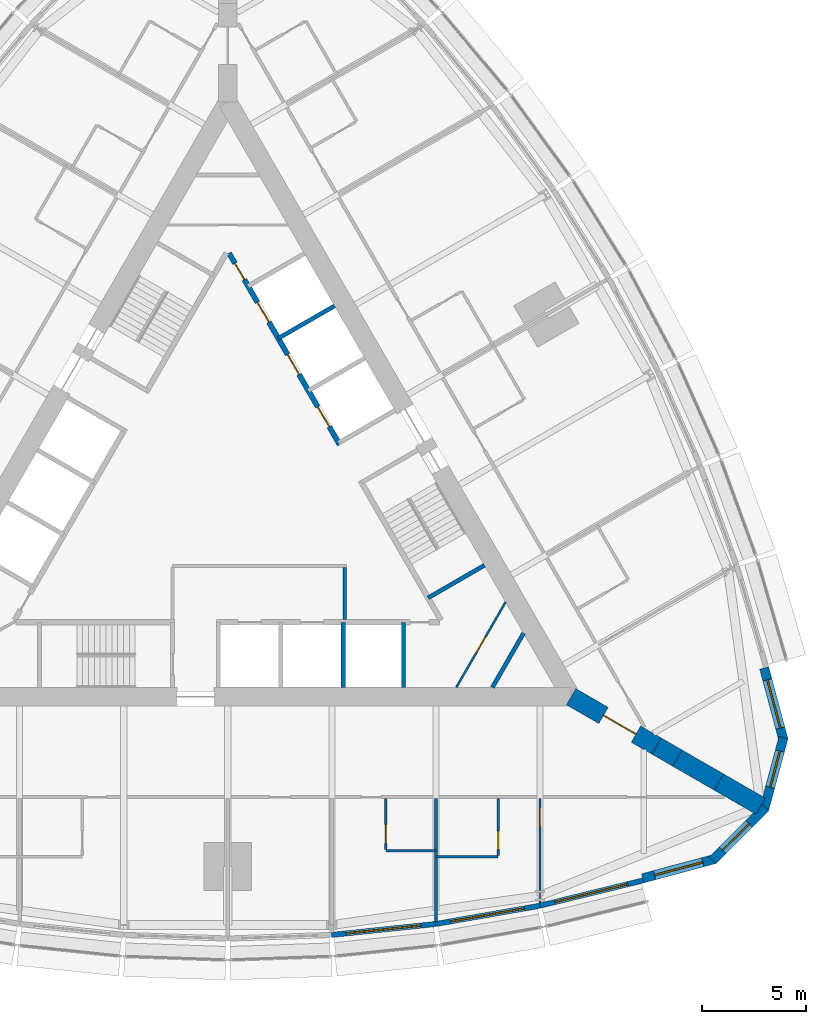
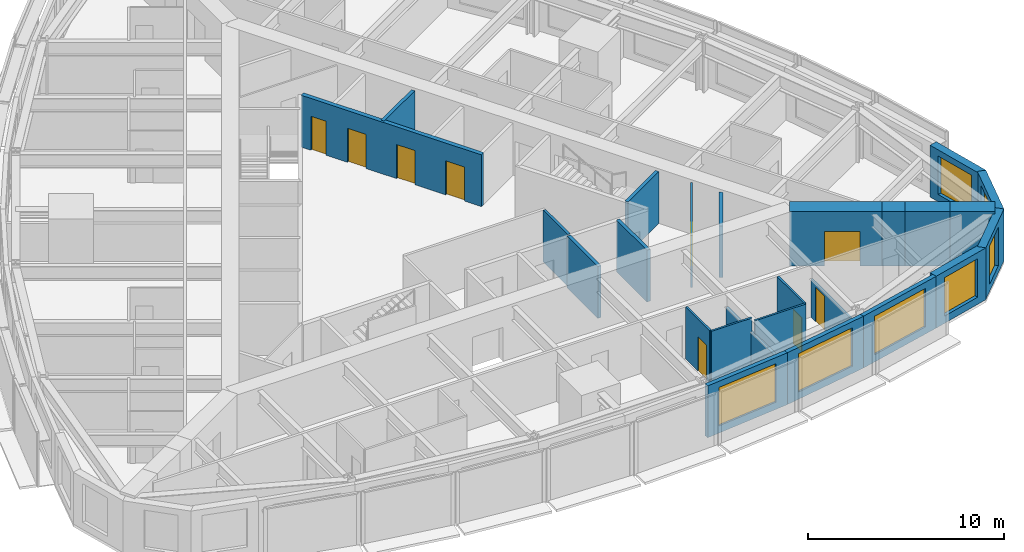
# One storey, part 10 of 14: 25 walls, 9 doors, 7 windows, 16 openings.
"""IFC4 building model written with IfcOpenShell, lengths in metres."""

from ifc_helpers import new_model, si_unit, direction, frame, frame_2d, origin, place, context, subcontext, project, spatial, polyline, rectangle, outline, extrude, material, layer, layer_set, type_object, element, fill, save


model = new_model("IFC4")

# Units and contexts
model_context = context("Model", 3, precision=1e-05, world=origin(), true_north=direction((0.0, 1.0)))
body_context = subcontext(model_context, "Body", "Model", "MODEL_VIEW")
ifc_project = project(units=[si_unit("LENGTHUNIT", "METRE"), si_unit("AREAUNIT", "SQUARE_METRE"), si_unit("VOLUMEUNIT", "CUBIC_METRE"), si_unit("PLANEANGLEUNIT", "RADIAN"), si_unit("MASSUNIT", "GRAM", prefix="KILO")], contexts=[model_context])

# Site, building, storey
site_placement = place(None, origin())
site = spatial("IfcSite", under=ifc_project, at=site_placement, CompositionType="ELEMENT")
building_placement = place(site_placement, origin())
building = spatial("IfcBuilding", under=site, at=building_placement, Name="Trikona Tower", CompositionType="ELEMENT")
storey_placement = place(building_placement, frame((0.0, 0.0, 155.5)))
storey = spatial("IfcBuildingStorey", under=building, at=storey_placement, Name="L41", CompositionType="ELEMENT", Elevation=155.5)

# Wall
ifc_material_1 = material(Name="Metal stud and cement board", Category="gypsum")
ifc_layer_1 = layer(ifc_material_1, 0.1201171875)
ifc_layer_set_1 = layer_set([ifc_layer_1], Name="Bathroom wall 120")
wall_type_1 = type_object("IfcWallType", Name="Bathroom wall 120", PredefinedType="PLUMBINGWALL", material=ifc_layer_set_1)
wall_1_placement = place(storey_placement, frame((7.60009765625, -16.92626953125, 0.0), z_axis=(0.0, 0.0, 1.0), x_axis=(1.0, 0.0, 0.0)))
element("IfcWall", 1, at=wall_1_placement, inside=storey, type_object=wall_type_1, Name="Bathroom wall 4103", PredefinedType="PLUMBINGWALL", context=body_context, shape_type="SweptSolid", body=[
    extrude(rectangle(XDim=2.39990234375, YDim=0.1201171875, at=frame_2d((1.199951171875, 0.0))), origin(), (0.0, 0.0, 1.0), 3.235107421875),
])

# Wall, opening, door
wall_2_placement = place(storey_placement, frame((7.60009765625, -14.42626953125, 0.0), z_axis=(0.0, 0.0, 1.0), x_axis=(0.0, -1.0, 0.0)))
wall_2 = element("IfcWall", 2, at=wall_2_placement, inside=storey, type_object=wall_type_1, Name="Bathroom wall 4103", PredefinedType="PLUMBINGWALL", context=body_context, shape_type="SweptSolid", body=[
    extrude(rectangle(XDim=2.43994140625, YDim=0.1201171875, at=frame_2d((1.219970703125, 0.0))), origin(), (0.0, 0.0, 1.0), 3.235107421875),
])
opening_1_placement = place(wall_2_placement, frame((1.25, 0.0, 0.0)))
opening_1 = element("IfcOpeningElement", 3, at=opening_1_placement, cuts=wall_2, Name="Opening D2", PredefinedType="OPENING", context=body_context, shape_type="SweptSolid", body=[
    extrude(rectangle(XDim=0.89990234375, YDim=2.1298828125, at=frame_2d((0.449951171875, 1.06494140625))), frame((0.0, 0.070068359375, 0.0), z_axis=(0.0, -1.0, 0.0), x_axis=(1.0, 0.0, 0.0)), (0.0, 0.0, 1.0), 0.14013671875),
])
ifc_material_2 = material(Name="Steel door frame with solid-core timber leaf", Category="steel")
door_type_1 = type_object("IfcDoorType", Name="Bathroom door 900x2130", OperationType="SLIDING_TO_LEFT", PredefinedType="DOOR", material=ifc_material_2)
door_1_placement = place(opening_1_placement, origin())
door_1 = element("IfcDoor", 4, at=door_1_placement, inside=storey, type_object=door_type_1, Name="Bathroom door 4103", OperationType="SLIDING_TO_LEFT", OverallHeight=2.1298828125, OverallWidth=0.89990234375, PredefinedType="DOOR", context=body_context, shape_type="SweptSolid", body=[
    extrude(rectangle(XDim=0.89990234375, YDim=2.1298828125, at=frame_2d((0.449951171875, 1.06494140625))), frame((0.0, 0.02490234375, 0.0), z_axis=(0.0, -1.0, 0.0), x_axis=(1.0, 0.0, 0.0)), (0.0, 0.0, 1.0), 0.050048828125),
])
fill(opening_1, door_1)

# Wall
wall_3_placement = place(storey_placement, frame((10.0, -17.226318359375, 0.0), z_axis=(0.0, 0.0, 1.0), x_axis=(1.0, 0.0, 0.0)))
element("IfcWall", 5, at=wall_3_placement, inside=storey, type_object=wall_type_1, Name="Bathroom wall 4104.1", PredefinedType="PLUMBINGWALL", context=body_context, shape_type="SweptSolid", body=[
    extrude(rectangle(XDim=3.0, YDim=0.1201171875, at=frame_2d((1.5, 0.0))), origin(), (0.0, 0.0, 1.0), 3.235107421875),
])

# Wall, opening, door
wall_4_placement = place(storey_placement, frame((13.0, -14.42626953125, 0.0), z_axis=(0.0, 0.0, 1.0), x_axis=(0.0, -1.0, 0.0)))
wall_4 = element("IfcWall", 6, at=wall_4_placement, inside=storey, type_object=wall_type_1, Name="Bathroom wall 4104.1", PredefinedType="PLUMBINGWALL", context=body_context, shape_type="SweptSolid", body=[
    extrude(rectangle(XDim=2.739990234375, YDim=0.1201171875, at=frame_2d((1.3701171875, 0.0))), origin(), (0.0, 0.0, 1.0), 3.235107421875),
])
opening_2_placement = place(wall_4_placement, frame((1.550048828125, 0.0, 0.0)))
opening_2 = element("IfcOpeningElement", 7, at=opening_2_placement, cuts=wall_4, Name="Opening D2", PredefinedType="OPENING", context=body_context, shape_type="SweptSolid", body=[
    extrude(rectangle(XDim=0.89990234375, YDim=2.1298828125, at=frame_2d((0.449951171875, 1.06494140625))), frame((0.0, 0.070068359375, 0.0), z_axis=(0.0, -1.0, 0.0), x_axis=(1.0, 0.0, 0.0)), (0.0, 0.0, 1.0), 0.14013671875),
])
door_2_placement = place(opening_2_placement, origin())
door_2 = element("IfcDoor", 8, at=door_2_placement, inside=storey, type_object=door_type_1, Name="Bathroom door 4104.1", OperationType="SLIDING_TO_LEFT", OverallHeight=2.1298828125, OverallWidth=0.89990234375, PredefinedType="DOOR", context=body_context, shape_type="SweptSolid", body=[
    extrude(rectangle(XDim=0.89990234375, YDim=2.1298828125, at=frame_2d((0.449951171875, 1.06494140625))), frame((0.0, 0.02490234375, 0.0), z_axis=(0.0, -1.0, 0.0), x_axis=(1.0, 0.0, 0.0)), (0.0, 0.0, 1.0), 0.050048828125),
])
fill(opening_2, door_2)

# Wall, opening, window
ifc_material_3 = material(Name="Brick-faced precast concrete", Category="masonry")
ifc_layer_2 = layer(ifc_material_3, 0.449951171875)
ifc_layer_set_2 = layer_set([ifc_layer_2], Name="Brick-faced corner wall 450")
wall_type_2 = type_object("IfcWallType", Name="Brick-faced corner wall 450", PredefinedType="SOLIDWALL", material=ifc_layer_set_2)
wall_5_placement = place(storey_placement, frame((19.94189453125, -18.2578125, 0.0), z_axis=(0.0, 0.0, 1.0), x_axis=(0.965924653531, 0.258823421857, 0.0)))
wall_5 = element("IfcWall", 9, at=wall_5_placement, inside=storey, type_object=wall_type_2, Name="External wall L41-08", PredefinedType="SOLIDWALL", context=body_context, shape_type="SweptSolid", body=[
    extrude(rectangle(XDim=3.58642578125, YDim=0.449951171875, at=frame_2d((1.793212890625, 0.0))), origin(), (0.0, 0.0, 1.0), 3.235107421875),
])
opening_3_placement = place(wall_5_placement, frame((0.593017578125, 0.0, 0.449951171875)))
opening_3 = element("IfcOpeningElement", 10, at=opening_3_placement, cuts=wall_5, Name="Opening W2424", PredefinedType="OPENING", context=body_context, shape_type="SweptSolid", body=[
    extrude(rectangle(XDim=2.39990234375, YDim=2.39990234375, at=frame_2d((1.199951171875, 1.199951171875))), frame((0.0, 0.23486328125, 0.0), z_axis=(0.0, -1.0, 0.0), x_axis=(1.0, 0.0, 0.0)), (0.0, 0.0, 1.0), 0.469970703125),
])
ifc_material_4 = material(Name="Aluminium-framed double glazing", Category="aluminium")
window_type_1 = type_object("IfcWindowType", Name="Window 2400x2400", PartitioningType="SINGLE_PANEL", PredefinedType="WINDOW", material=ifc_material_4)
window_1_placement = place(opening_3_placement, origin())
window_1 = element("IfcWindow", 11, at=window_1_placement, inside=storey, type_object=window_type_1, Name="Window 4104", OverallHeight=2.39990234375, OverallWidth=2.39990234375, PartitioningType="SINGLE_PANEL", PredefinedType="WINDOW", context=body_context, shape_type="SweptSolid", body=[
    extrude(rectangle(XDim=2.39990234375, YDim=2.39990234375, at=frame_2d((1.199951171875, 1.199951171875))), frame((0.0, 0.030029296875, 0.0), z_axis=(0.0, -1.0, 0.0), x_axis=(1.0, 0.0, 0.0)), (0.0, 0.0, 1.0), 0.06005859375),
])
fill(opening_3, window_1)

wall_6_placement = place(storey_placement, frame((23.304931640625, -17.387939453125, 0.0), z_axis=(0.0, 0.0, 1.0), x_axis=(0.707106781187, 0.707106781187, 0.0)))
wall_6 = element("IfcWall", 12, at=wall_6_placement, inside=storey, type_object=wall_type_2, Name="External wall L41-09", PredefinedType="SOLIDWALL", context=body_context, shape_type="SweptSolid", body=[
    extrude(outline(polyline([(3.586181640625, 0.22509765625), (3.527099609375, 0.22509765625), (3.03515625, 0.09326171875), (3.0, 0.22509765625), (0.0, 0.22509765625), (0.0, -0.22509765625), (3.586181640625, -0.22509765625), (3.586181640625, 0.22509765625)])), origin(), (0.0, 0.0, 1.0), 3.235107421875),
])
opening_4_placement = place(wall_6_placement, frame((0.6748046875, 0.0, 0.449951171875)))
opening_4 = element("IfcOpeningElement", 13, at=opening_4_placement, cuts=wall_6, Name="Opening W1824", PredefinedType="OPENING", context=body_context, shape_type="SweptSolid", body=[
    extrude(rectangle(XDim=1.800048828125, YDim=2.39990234375, at=frame_2d((0.89990234375, 1.199951171875))), frame((0.0, 0.23486328125, 0.0), z_axis=(0.0, -1.0, 0.0), x_axis=(1.0, 0.0, 0.0)), (0.0, 0.0, 1.0), 0.469970703125),
])
ifc_material_5 = material(Name="Aluminium-framed double glazing", Category="aluminium")
window_type_2 = type_object("IfcWindowType", Name="Window 1800x2400", PartitioningType="SINGLE_PANEL", PredefinedType="WINDOW", material=ifc_material_5)
window_2_placement = place(opening_4_placement, origin())
window_2 = element("IfcWindow", 14, at=window_2_placement, inside=storey, type_object=window_type_2, Name="Window 4104", OverallHeight=2.39990234375, OverallWidth=1.800048828125, PartitioningType="SINGLE_PANEL", PredefinedType="WINDOW", context=body_context, shape_type="SweptSolid", body=[
    extrude(rectangle(XDim=1.800048828125, YDim=2.39990234375, at=frame_2d((0.89990234375, 1.199951171875))), frame((0.0, 0.030029296875, 0.0), z_axis=(0.0, -1.0, 0.0), x_axis=(1.0, 0.0, 0.0)), (0.0, 0.0, 1.0), 0.06005859375),
])
fill(opening_4, window_2)

wall_7_placement = place(storey_placement, frame((25.78271484375, -14.952880859375, 0.0), z_axis=(0.0, 0.0, 1.0), x_axis=(0.258823421857, 0.965924653531, 0.0)))
wall_7 = element("IfcWall", 15, at=wall_7_placement, inside=storey, type_object=wall_type_2, Name="External wall L41-10", PredefinedType="SOLIDWALL", context=body_context, shape_type="SweptSolid", body=[
    extrude(outline(polyline([(3.58642578125, 0.22509765625), (0.58642578125, 0.22509765625), (0.551025390625, 0.09326171875), (0.0595703125, 0.22509765625), (0.0, 0.22509765625), (0.0, -0.22509765625), (3.58642578125, -0.22509765625), (3.58642578125, 0.22509765625)])), origin(), (0.0, 0.0, 1.0), 3.235107421875),
])
opening_5_placement = place(wall_7_placement, frame((1.111328125, 0.0, 0.449951171875)))
opening_5 = element("IfcOpeningElement", 16, at=opening_5_placement, cuts=wall_7, Name="Opening W1824", PredefinedType="OPENING", context=body_context, shape_type="SweptSolid", body=[
    extrude(rectangle(XDim=1.800048828125, YDim=2.39990234375, at=frame_2d((0.89990234375, 1.199951171875))), frame((0.0, 0.23486328125, 0.0), z_axis=(0.0, -1.0, 0.0), x_axis=(1.0, 0.0, 0.0)), (0.0, 0.0, 1.0), 0.469970703125),
])
window_3_placement = place(opening_5_placement, origin())
window_3 = element("IfcWindow", 17, at=window_3_placement, inside=storey, type_object=window_type_2, Name="Window 4105", OverallHeight=2.39990234375, OverallWidth=1.800048828125, PartitioningType="SINGLE_PANEL", PredefinedType="WINDOW", context=body_context, shape_type="SweptSolid", body=[
    extrude(rectangle(XDim=1.800048828125, YDim=2.39990234375, at=frame_2d((0.89990234375, 1.199951171875))), frame((0.0, 0.030029296875, 0.0), z_axis=(0.0, -1.0, 0.0), x_axis=(1.0, 0.0, 0.0)), (0.0, 0.0, 1.0), 0.06005859375),
])
fill(opening_5, window_3)

wall_8_placement = place(storey_placement, frame((26.7109375, -11.605224609375, 0.0), z_axis=(0.0, 0.0, 1.0), x_axis=(-0.258823421857, 0.965924653531, 0.0)))
wall_8 = element("IfcWall", 18, at=wall_8_placement, inside=storey, type_object=wall_type_2, Name="External wall L41-11", PredefinedType="SOLIDWALL", context=body_context, shape_type="SweptSolid", body=[
    extrude(rectangle(XDim=3.58642578125, YDim=0.449951171875, at=frame_2d((1.793212890625, 0.0))), origin(), (0.0, 0.0, 1.0), 3.235107421875),
])
opening_6_placement = place(wall_8_placement, frame((0.593017578125, 0.0, 0.449951171875)))
opening_6 = element("IfcOpeningElement", 19, at=opening_6_placement, cuts=wall_8, Name="Opening W2424", PredefinedType="OPENING", context=body_context, shape_type="SweptSolid", body=[
    extrude(rectangle(XDim=2.39990234375, YDim=2.39990234375, at=frame_2d((1.199951171875, 1.199951171875))), frame((0.0, 0.23486328125, 0.0), z_axis=(0.0, -1.0, 0.0), x_axis=(1.0, 0.0, 0.0)), (0.0, 0.0, 1.0), 0.469970703125),
])
window_4_placement = place(opening_6_placement, origin())
window_4 = element("IfcWindow", 20, at=window_4_placement, inside=storey, type_object=window_type_1, Name="Window 4105", OverallHeight=2.39990234375, OverallWidth=2.39990234375, PartitioningType="SINGLE_PANEL", PredefinedType="WINDOW", context=body_context, shape_type="SweptSolid", body=[
    extrude(rectangle(XDim=2.39990234375, YDim=2.39990234375, at=frame_2d((1.199951171875, 1.199951171875))), frame((0.0, 0.030029296875, 0.0), z_axis=(0.0, -1.0, 0.0), x_axis=(1.0, 0.0, 0.0)), (0.0, 0.0, 1.0), 0.06005859375),
])
fill(opening_6, window_4)

# Wall, opening, door
ifc_material_6 = material(Name="Concrete f'c 10000 psi", Category="concrete")
ifc_layer_3 = layer(ifc_material_6, 0.89990234375)
ifc_layer_set_3 = layer_set([ifc_layer_3], Name="Buttress wall 900")
wall_type_3 = type_object("IfcWallType", Name="Buttress wall 900", PredefinedType="SHEAR", material=ifc_layer_set_3)
wall_9_placement = place(storey_placement, frame((16.5, -9.5263671875, 0.0), z_axis=(0.0, 0.0, 1.0), x_axis=(0.866031398331, -0.499989616998, 0.0)))
wall_9 = element("IfcWall", 21, at=wall_9_placement, inside=storey, type_object=wall_type_3, Name="Buttress wall 1", PredefinedType="SHEAR", context=body_context, shape_type="SweptSolid", body=[
    extrude(rectangle(XDim=4.74609375, YDim=0.89990234375, at=frame_2d((2.373046875, 0.0))), origin(), (0.0, 0.0, 1.0), 3.39990234375),
])
opening_7_placement = place(wall_9_placement, frame((1.800048828125, 0.0, 0.0)))
opening_7 = element("IfcOpeningElement", 22, at=opening_7_placement, cuts=wall_9, Name="Opening D10", PredefinedType="OPENING", context=body_context, shape_type="SweptSolid", body=[
    extrude(rectangle(XDim=1.800048828125, YDim=2.1298828125, at=frame_2d((0.89990234375, 1.06494140625))), frame((0.0, 0.4599609375, 0.0), z_axis=(0.0, -1.0, 0.0), x_axis=(1.0, 0.0, 0.0)), (0.0, 0.0, 1.0), 0.919921875),
])
ifc_material_7 = material(Name="Hollow metal door and frame", Category="steel")
door_type_2 = type_object("IfcDoorType", Name="Cross-corridor door pair 1800x2130", OperationType="DOUBLE_DOOR_DOUBLE_SWING", PredefinedType="DOOR", material=ifc_material_7)
door_3_placement = place(opening_7_placement, origin())
door_3 = element("IfcDoor", 23, at=door_3_placement, inside=storey, type_object=door_type_2, Name="Cross-corridor door 1", OperationType="DOUBLE_DOOR_DOUBLE_SWING", OverallHeight=2.1298828125, OverallWidth=1.800048828125, PredefinedType="DOOR", context=body_context, shape_type="SweptSolid", body=[
    extrude(rectangle(XDim=1.800048828125, YDim=2.1298828125, at=frame_2d((0.89990234375, 1.06494140625))), frame((0.0, 0.02490234375, 0.0), z_axis=(0.0, -1.0, 0.0), x_axis=(1.0, 0.0, 0.0)), (0.0, 0.0, 1.0), 0.050048828125),
])
fill(opening_7, door_3)

# Walls
wall_10_placement = place(storey_placement, frame((20.6103515625, -11.8994140625, 0.0), z_axis=(0.0, 0.0, 1.0), x_axis=(0.866009537788, -0.500027479704, 0.0)))
element("IfcWall", 24, at=wall_10_placement, inside=storey, type_object=wall_type_3, Name="Buttress wall 1 part 2", PredefinedType="SHEAR", context=body_context, shape_type="SweptSolid", body=[
    extrude(rectangle(XDim=1.15478515625, YDim=0.89990234375, at=frame_2d((0.577392578125, 0.0))), origin(), (0.0, 0.0, 1.0), 3.39990234375),
])
for number, where, z_axis, x_axis, name in (
    (25, (21.6103515625, -12.476806640625, 0.0), (0.0, 0.0, 1.0), (0.866055313784, -0.499948190782, 0.0), "Buttress wall 1 part 3"),
    (26, (23.6103515625, -13.63134765625, 0.0), (0.0, 0.0, 1.0), (0.866009537788, -0.500027479704, 0.0), "Buttress wall 1 part 4"),
):
    element("IfcWall", number, at=place(storey_placement, frame(where, z_axis=z_axis, x_axis=x_axis)), inside=storey, type_object=wall_type_3, Name=name, PredefinedType="SHEAR", context=body_context, shape_type="SweptSolid", body=[
        extrude(rectangle(XDim=2.309326171875, YDim=0.89990234375, at=frame_2d((1.15478515625, 0.0))), origin(), (0.0, 0.0, 1.0), 3.39990234375),
    ])

# Wall, openings, doors
ifc_material_8 = material(Name="Concrete f'c 8000 psi", Category="concrete")
ifc_layer_4 = layer(ifc_material_8, 0.25)
ifc_layer_set_4 = layer_set([ifc_layer_4], Name="Hub wall 250")
wall_type_4 = type_object("IfcWallType", Name="Hub wall 250", PredefinedType="SOLIDWALL", material=ifc_layer_set_4)
wall_11_placement = place(storey_placement, frame((5.37890625, 2.5859375, 0.0), z_axis=(0.0, 0.0, 1.0), x_axis=(-0.500001375892, 0.866024609411, 0.0)))
wall_11 = element("IfcWall", 27, at=wall_11_placement, inside=storey, type_object=wall_type_4, Name="Lift lobby wall B2", PredefinedType="SOLIDWALL", context=body_context, shape_type="SweptSolid", body=[
    extrude(rectangle(XDim=10.6328125, YDim=0.25, at=frame_2d((5.31640625, 0.0))), origin(), (0.0, 0.0, 1.0), 3.235107421875),
])
opening_8_placement = place(wall_11_placement, frame((9.1640625, 0.0, 0.0)))
opening_8 = element("IfcOpeningElement", 28, at=opening_8_placement, cuts=wall_11, Name="Opening D14", PredefinedType="OPENING", context=body_context, shape_type="SweptSolid", body=[
    extrude(rectangle(XDim=0.89990234375, YDim=2.1298828125, at=frame_2d((0.449951171875, 1.06494140625))), frame((0.0, 0.135009765625, 0.0), z_axis=(0.0, -1.0, 0.0), x_axis=(1.0, 0.0, 0.0)), (0.0, 0.0, 1.0), 0.27001953125),
])
opening_9_placement = place(wall_11_placement, frame((1.0, 0.0, 0.0)))
opening_9 = element("IfcOpeningElement", 29, at=opening_9_placement, cuts=wall_11, Name="Opening LD", PredefinedType="OPENING", context=body_context, shape_type="SweptSolid", body=[
    extrude(rectangle(XDim=1.10009765625, YDim=2.1298828125, at=frame_2d((0.550048828125, 1.06494140625))), frame((0.0, 0.135009765625, 0.0), z_axis=(0.0, -1.0, 0.0), x_axis=(1.0, 0.0, 0.0)), (0.0, 0.0, 1.0), 0.27001953125),
])
opening_10_placement = place(wall_11_placement, frame((3.89990234375, 0.0, 0.0)))
opening_10 = element("IfcOpeningElement", 30, at=opening_10_placement, cuts=wall_11, Name="Opening LD", PredefinedType="OPENING", context=body_context, shape_type="SweptSolid", body=[
    extrude(rectangle(XDim=1.10009765625, YDim=2.1298828125, at=frame_2d((0.550048828125, 1.06494140625))), frame((0.0, 0.135009765625, 0.0), z_axis=(0.0, -1.0, 0.0), x_axis=(1.0, 0.0, 0.0)), (0.0, 0.0, 1.0), 0.27001953125),
])
opening_11_placement = place(wall_11_placement, frame((6.800048828125, 0.0, 0.0)))
opening_11 = element("IfcOpeningElement", 31, at=opening_11_placement, cuts=wall_11, Name="Opening LD", PredefinedType="OPENING", context=body_context, shape_type="SweptSolid", body=[
    extrude(rectangle(XDim=1.10009765625, YDim=2.1298828125, at=frame_2d((0.550048828125, 1.06494140625))), frame((0.0, 0.135009765625, 0.0), z_axis=(0.0, -1.0, 0.0), x_axis=(1.0, 0.0, 0.0)), (0.0, 0.0, 1.0), 0.27001953125),
])
ifc_material_9 = material(Name="Stainless steel lift landing door", Category="steel")
door_type_3 = type_object("IfcDoorType", Name="Lift landing door 1100x2130", OperationType="DOUBLE_DOOR_SLIDING", PredefinedType="USERDEFINED", material=ifc_material_9)
door_4_placement = place(opening_9_placement, origin())
door_4 = element("IfcDoor", 32, at=door_4_placement, inside=storey, type_object=door_type_3, Name="Lift landing door L2-1", ObjectType="LIFT LANDING DOOR", OperationType="DOUBLE_DOOR_SLIDING", OverallHeight=2.1298828125, OverallWidth=1.10009765625, PredefinedType="USERDEFINED", context=body_context, shape_type="SweptSolid", body=[
    extrude(rectangle(XDim=1.10009765625, YDim=2.1298828125, at=frame_2d((0.550048828125, 1.06494140625))), frame((0.0, 0.02490234375, 0.0), z_axis=(0.0, -1.0, 0.0), x_axis=(1.0, 0.0, 0.0)), (0.0, 0.0, 1.0), 0.050048828125),
])
fill(opening_9, door_4)
door_5_placement = place(opening_10_placement, origin())
door_5 = element("IfcDoor", 33, at=door_5_placement, inside=storey, type_object=door_type_3, Name="Lift landing door L2-2", ObjectType="LIFT LANDING DOOR", OperationType="DOUBLE_DOOR_SLIDING", OverallHeight=2.1298828125, OverallWidth=1.10009765625, PredefinedType="USERDEFINED", context=body_context, shape_type="SweptSolid", body=[
    extrude(rectangle(XDim=1.10009765625, YDim=2.1298828125, at=frame_2d((0.550048828125, 1.06494140625))), frame((0.0, 0.02490234375, 0.0), z_axis=(0.0, -1.0, 0.0), x_axis=(1.0, 0.0, 0.0)), (0.0, 0.0, 1.0), 0.050048828125),
])
fill(opening_10, door_5)
door_6_placement = place(opening_11_placement, origin())
door_6 = element("IfcDoor", 34, at=door_6_placement, inside=storey, type_object=door_type_3, Name="Lift landing door L2-3", ObjectType="LIFT LANDING DOOR", OperationType="DOUBLE_DOOR_SLIDING", OverallHeight=2.1298828125, OverallWidth=1.10009765625, PredefinedType="USERDEFINED", context=body_context, shape_type="SweptSolid", body=[
    extrude(rectangle(XDim=1.10009765625, YDim=2.1298828125, at=frame_2d((0.550048828125, 1.06494140625))), frame((0.0, 0.02490234375, 0.0), z_axis=(0.0, -1.0, 0.0), x_axis=(1.0, 0.0, 0.0)), (0.0, 0.0, 1.0), 0.050048828125),
])
fill(opening_11, door_6)
ifc_material_10 = material(Name="Hollow metal door and frame", Category="steel")
door_type_4 = type_object("IfcDoorType", Name="Service room door 900x2130", OperationType="SINGLE_SWING_LEFT", PredefinedType="DOOR", material=ifc_material_10)
door_7_placement = place(opening_8_placement, origin())
door_7 = element("IfcDoor", 35, at=door_7_placement, inside=storey, type_object=door_type_4, Name="Door Housekeeping store HKS", OperationType="SINGLE_SWING_RIGHT", OverallHeight=2.1298828125, OverallWidth=0.89990234375, PredefinedType="DOOR", context=body_context, shape_type="SweptSolid", body=[
    extrude(rectangle(XDim=0.89990234375, YDim=2.1298828125, at=frame_2d((0.449951171875, 1.06494140625))), frame((0.0, 0.02490234375, 0.0), z_axis=(0.0, -1.0, 0.0), x_axis=(1.0, 0.0, 0.0)), (0.0, 0.0, 1.0), 0.050048828125),
])
fill(opening_8, door_7)

# Wall, opening, window
ifc_material_11 = material(Name="Insulated precast concrete spandrel panel", Category="concrete")
ifc_layer_5 = layer(ifc_material_11, 0.25)
ifc_layer_set_5 = layer_set([ifc_layer_5], Name="Inner skin wall 250")
wall_type_5 = type_object("IfcWallType", Name="Inner skin wall 250", PredefinedType="STANDARD", material=ifc_layer_set_5)
wall_12_placement = place(storey_placement, frame((4.98681640625, -20.975830078125, 0.0), z_axis=(0.0, 0.0, 1.0), x_axis=(0.994534683851, 0.104406717299, 0.0)))
wall_12 = element("IfcWall", 36, at=wall_12_placement, inside=storey, type_object=wall_type_5, Name="External wall L41-05", PredefinedType="STANDARD", context=body_context, shape_type="SweptSolid", body=[
    extrude(rectangle(XDim=5.027587890625, YDim=0.25, at=frame_2d((2.513671875, 0.0))), origin(), (0.0, 0.0, 1.0), 3.235107421875),
])
opening_12_placement = place(wall_12_placement, frame((0.713623046875, 0.0, 0.449951171875)))
opening_12 = element("IfcOpeningElement", 37, at=opening_12_placement, cuts=wall_12, Name="Opening W3624", PredefinedType="OPENING", context=body_context, shape_type="SweptSolid", body=[
    extrude(rectangle(XDim=3.60009765625, YDim=2.39990234375, at=frame_2d((1.800048828125, 1.199951171875))), frame((0.0, 0.135009765625, 0.0), z_axis=(0.0, -1.0, 0.0), x_axis=(1.0, 0.0, 0.0)), (0.0, 0.0, 1.0), 0.27001953125),
])
ifc_material_12 = material(Name="Aluminium-framed double glazing", Category="aluminium")
window_type_3 = type_object("IfcWindowType", Name="Window 3600x2400", PartitioningType="SINGLE_PANEL", PredefinedType="WINDOW", material=ifc_material_12)
window_5_placement = place(opening_12_placement, origin())
window_5 = element("IfcWindow", 38, at=window_5_placement, inside=storey, type_object=window_type_3, Name="Window 4103", OverallHeight=2.39990234375, OverallWidth=3.60009765625, PartitioningType="SINGLE_PANEL", PredefinedType="WINDOW", context=body_context, shape_type="SweptSolid", body=[
    extrude(rectangle(XDim=3.60009765625, YDim=2.39990234375, at=frame_2d((1.800048828125, 1.199951171875))), frame((0.0, 0.030029296875, 0.0), z_axis=(0.0, -1.0, 0.0), x_axis=(1.0, 0.0, 0.0)), (0.0, 0.0, 1.0), 0.06005859375),
])
fill(opening_12, window_5)

wall_13_placement = place(storey_placement, frame((9.978515625, -20.4521484375, 0.0), z_axis=(0.0, 0.0, 1.0), x_axis=(0.985030467156, 0.172380331752, 0.0)))
wall_13 = element("IfcWall", 39, at=wall_13_placement, inside=storey, type_object=wall_type_5, Name="External wall L41-06", PredefinedType="STANDARD", context=body_context, shape_type="SweptSolid", body=[
    extrude(rectangle(XDim=5.075927734375, YDim=0.25, at=frame_2d((2.5380859375, 0.0))), origin(), (0.0, 0.0, 1.0), 3.235107421875),
])
opening_13_placement = place(wall_13_placement, frame((0.738037109375, 0.0, 0.449951171875)))
opening_13 = element("IfcOpeningElement", 40, at=opening_13_placement, cuts=wall_13, Name="Opening W3624", PredefinedType="OPENING", context=body_context, shape_type="SweptSolid", body=[
    extrude(rectangle(XDim=3.60009765625, YDim=2.39990234375, at=frame_2d((1.800048828125, 1.199951171875))), frame((0.0, 0.135009765625, 0.0), z_axis=(0.0, -1.0, 0.0), x_axis=(1.0, 0.0, 0.0)), (0.0, 0.0, 1.0), 0.27001953125),
])
window_6_placement = place(opening_13_placement, origin())
window_6 = element("IfcWindow", 41, at=window_6_placement, inside=storey, type_object=window_type_3, Name="Window 4104.1", OverallHeight=2.39990234375, OverallWidth=3.60009765625, PartitioningType="SINGLE_PANEL", PredefinedType="WINDOW", context=body_context, shape_type="SweptSolid", body=[
    extrude(rectangle(XDim=3.60009765625, YDim=2.39990234375, at=frame_2d((1.800048828125, 1.199951171875))), frame((0.0, 0.030029296875, 0.0), z_axis=(0.0, -1.0, 0.0), x_axis=(1.0, 0.0, 0.0)), (0.0, 0.0, 1.0), 0.06005859375),
])
fill(opening_13, window_6)

wall_14_placement = place(storey_placement, frame((14.97021484375, -19.578857421875, 0.0), z_axis=(0.0, 0.0, 1.0), x_axis=(0.971270024053, 0.237980126011, 0.0)))
wall_14 = element("IfcWall", 42, at=wall_14_placement, inside=storey, type_object=wall_type_5, Name="External wall L41-07", PredefinedType="STANDARD", context=body_context, shape_type="SweptSolid", body=[
    extrude(rectangle(XDim=5.14794921875, YDim=0.25, at=frame_2d((2.573974609375, 0.0))), origin(), (0.0, 0.0, 1.0), 3.235107421875),
])
opening_14_placement = place(wall_14_placement, frame((0.77392578125, 0.0, 0.449951171875)))
opening_14 = element("IfcOpeningElement", 43, at=opening_14_placement, cuts=wall_14, Name="Opening W3624", PredefinedType="OPENING", context=body_context, shape_type="SweptSolid", body=[
    extrude(rectangle(XDim=3.60009765625, YDim=2.39990234375, at=frame_2d((1.800048828125, 1.199951171875))), frame((0.0, 0.135009765625, 0.0), z_axis=(0.0, -1.0, 0.0), x_axis=(1.0, 0.0, 0.0)), (0.0, 0.0, 1.0), 0.27001953125),
])
window_7_placement = place(opening_14_placement, origin())
window_7 = element("IfcWindow", 44, at=window_7_placement, inside=storey, type_object=window_type_3, Name="Window 4104", OverallHeight=2.39990234375, OverallWidth=3.60009765625, PartitioningType="SINGLE_PANEL", PredefinedType="WINDOW", context=body_context, shape_type="SweptSolid", body=[
    extrude(rectangle(XDim=3.60009765625, YDim=2.39990234375, at=frame_2d((1.800048828125, 1.199951171875))), frame((0.0, 0.030029296875, 0.0), z_axis=(0.0, -1.0, 0.0), x_axis=(1.0, 0.0, 0.0)), (0.0, 0.0, 1.0), 0.06005859375),
])
fill(opening_14, window_7)

# Walls
ifc_material_13 = material(Name="Metal stud and gypsum board, 2-hour shaft wall", Category="gypsum")
ifc_layer_6 = layer(ifc_material_13, 0.14990234375)
ifc_layer_set_6 = layer_set([ifc_layer_6], Name="Lobby wall 150")
wall_type_6 = type_object("IfcWallType", Name="Lobby wall 150", PredefinedType="PARTITIONING", material=ifc_layer_set_6)
wall_15_placement = place(storey_placement, frame((5.625, -5.826416015625, 0.0), z_axis=(0.0, 0.0, 1.0), x_axis=(0.0, 1.0, 0.0)))
element("IfcWall", 45, at=wall_15_placement, inside=storey, type_object=wall_type_6, Name="Fire service lift lobby wall 3", PredefinedType="PARTITIONING", context=body_context, shape_type="SweptSolid", body=[
    extrude(rectangle(XDim=2.5, YDim=0.14990234375, at=frame_2d((1.25, 0.0))), origin(), (0.0, 0.0, 1.0), 3.235107421875),
])
ifc_material_14 = material(Name="Metal stud and gypsum board, 1-hour acoustic", Category="gypsum")
ifc_layer_7 = layer(ifc_material_14, 0.14990234375)
ifc_layer_set_7 = layer_set([ifc_layer_7], Name="Party wall 150")
wall_type_7 = type_object("IfcWallType", Name="Party wall 150", PredefinedType="PARTITIONING", material=ifc_layer_set_7)
wall_16_placement = place(storey_placement, frame((10.0, -14.42626953125, 0.0), z_axis=(0.0, 0.0, 1.0), x_axis=(0.0, -1.0, 0.0)))
element("IfcWall", 46, at=wall_16_placement, inside=storey, type_object=wall_type_7, Name="Partition L41 F1 u10", PredefinedType="PARTITIONING", context=body_context, shape_type="SweptSolid", body=[
    extrude(rectangle(XDim=5.89501953125, YDim=0.14990234375, at=frame_2d((2.947509765625, 0.0))), origin(), (0.0, 0.0, 1.0), 2.38916015625),
])
ifc_material_15 = material(Name="Concrete f'c 8000 psi", Category="concrete")
ifc_layer_8 = layer(ifc_material_15, 0.199951171875)
ifc_layer_set_8 = layer_set([ifc_layer_8], Name="Shaft wall 200")
wall_type_8 = type_object("IfcWallType", Name="Shaft wall 200", PredefinedType="SOLIDWALL", material=ifc_layer_set_8)
for number, where, z_axis, x_axis, name in (
    (47, (5.550048828125, -5.951416015625, 0.0), (0.0, 0.0, 1.0), (0.0, -1.0, 0.0), "Shaft wall A5"),
    (48, (8.449951171875, -5.951416015625, 0.0), (0.0, 0.0, 1.0), (0.0, -1.0, 0.0), "Shaft wall A6"),
    (49, (2.428955078125, 7.695556640625, 0.0), (0.0, 0.0, 1.0), (0.866022959057, 0.500004234368, 0.0), "Shaft wall B5"),
):
    element("IfcWall", number, at=place(storey_placement, frame(where, z_axis=z_axis, x_axis=x_axis)), inside=storey, type_object=wall_type_8, Name=name, PredefinedType="SOLIDWALL", context=body_context, shape_type="SweptSolid", body=[
        extrude(rectangle(XDim=3.125, YDim=0.199951171875, at=frame_2d((1.5625, 0.0))), origin(), (0.0, 0.0, 1.0), 3.235107421875),
    ])
wall_17_placement = place(storey_placement, frame((14.219482421875, -6.476318359375, 0.0), z_axis=(0.0, 0.0, 1.0), x_axis=(-0.499952404951, -0.866052881055, 0.0)))
element("IfcWall", 50, at=wall_17_placement, inside=storey, type_object=wall_type_8, Name="Riser wall L41-RS1", PredefinedType="SOLIDWALL", context=body_context, shape_type="SweptSolid", body=[
    extrude(rectangle(XDim=3.002197265625, YDim=0.199951171875, at=frame_2d((1.5009765625, 0.0))), origin(), (0.0, 0.0, 1.0), 3.235107421875),
])
ifc_material_16 = material(Name="Concrete f'c 8000 psi", Category="concrete")
ifc_layer_9 = layer(ifc_material_16, 0.199951171875)
ifc_layer_set_9 = layer_set([ifc_layer_9], Name="Shaft wall 200 load-bearing")
wall_type_9 = type_object("IfcWallType", Name="Shaft wall 200 load-bearing", PredefinedType="SOLIDWALL", material=ifc_layer_set_9)
wall_18_placement = place(storey_placement, frame((9.62890625, -4.775390625, 0.0), z_axis=(0.0, 0.0, 1.0), x_axis=(0.866022959057, 0.500004234368, 0.0)))
element("IfcWall", 51, at=wall_18_placement, inside=storey, type_object=wall_type_9, Name="Shaft wall B1", PredefinedType="SOLIDWALL", context=body_context, shape_type="SweptSolid", body=[
    extrude(rectangle(XDim=3.125, YDim=0.199951171875, at=frame_2d((1.5625, 0.0))), origin(), (0.0, 0.0, 1.0), 3.235107421875),
])

# Wall, opening, door
ifc_material_17 = material(Name="Metal stud and gypsum board, acoustic", Category="gypsum")
ifc_layer_10 = layer(ifc_material_17, 0.10009765625)
ifc_layer_set_10 = layer_set([ifc_layer_10], Name="Suite partition 100")
wall_type_10 = type_object("IfcWallType", Name="Suite partition 100", PredefinedType="PARTITIONING", material=ifc_layer_set_10)
wall_19_placement = place(storey_placement, frame((15.0, -14.42626953125, 0.0), z_axis=(0.0, 0.0, 1.0), x_axis=(0.0, -1.0, 0.0)))
wall_19 = element("IfcWall", 52, at=wall_19_placement, inside=storey, type_object=wall_type_10, Name="Suite partition L41 F1 u15", PredefinedType="PARTITIONING", context=body_context, shape_type="SweptSolid", body=[
    extrude(rectangle(XDim=5.0166015625, YDim=0.10009765625, at=frame_2d((2.50830078125, 0.0))), origin(), (0.0, 0.0, 1.0), 2.38916015625),
])
opening_15_placement = place(wall_19_placement, frame((0.449951171875, 0.0, 0.0)))
opening_15 = element("IfcOpeningElement", 53, at=opening_15_placement, cuts=wall_19, Name="Opening D13", PredefinedType="OPENING", context=body_context, shape_type="SweptSolid", body=[
    extrude(rectangle(XDim=0.89990234375, YDim=2.1298828125, at=frame_2d((0.449951171875, 1.06494140625))), frame((0.0, 0.06005859375, 0.0), z_axis=(0.0, -1.0, 0.0), x_axis=(1.0, 0.0, 0.0)), (0.0, 0.0, 1.0), 0.1201171875),
])
ifc_material_18 = material(Name="Steel door frame with solid-core timber leaf", Category="steel")
door_type_5 = type_object("IfcDoorType", Name="Suite door 900x2130", OperationType="SINGLE_SWING_LEFT", PredefinedType="DOOR", material=ifc_material_18)
door_8_placement = place(opening_15_placement, origin())
door_8 = element("IfcDoor", 54, at=door_8_placement, inside=storey, type_object=door_type_5, Name="Suite door 4104", OperationType="SINGLE_SWING_LEFT", OverallHeight=2.1298828125, OverallWidth=0.89990234375, PredefinedType="DOOR", context=body_context, shape_type="SweptSolid", body=[
    extrude(rectangle(XDim=0.89990234375, YDim=2.1298828125, at=frame_2d((0.449951171875, 1.06494140625))), frame((0.0, 0.02490234375, 0.0), z_axis=(0.0, -1.0, 0.0), x_axis=(1.0, 0.0, 0.0)), (0.0, 0.0, 1.0), 0.050048828125),
])
fill(opening_15, door_8)

wall_20_placement = place(storey_placement, frame((13.353515625, -4.976318359375, 0.0), z_axis=(0.0, 0.0, 1.0), x_axis=(-0.499999210213, -0.866025859768, 0.0)))
wall_20 = element("IfcWall", 55, at=wall_20_placement, inside=storey, type_object=wall_type_10, Name="Store partition L41-RS1", PredefinedType="PARTITIONING", context=body_context, shape_type="SweptSolid", body=[
    extrude(rectangle(XDim=4.734375, YDim=0.10009765625, at=frame_2d((2.3671875, 0.0))), origin(), (0.0, 0.0, 1.0), 3.235107421875),
])
opening_16_placement = place(wall_20_placement, frame((1.917236328125, 0.0, 0.0)))
opening_16 = element("IfcOpeningElement", 56, at=opening_16_placement, cuts=wall_20, Name="Opening D15", PredefinedType="OPENING", context=body_context, shape_type="SweptSolid", body=[
    extrude(rectangle(XDim=0.89990234375, YDim=2.1298828125, at=frame_2d((0.449951171875, 1.06494140625))), frame((0.0, 0.06005859375, 0.0), z_axis=(0.0, -1.0, 0.0), x_axis=(1.0, 0.0, 0.0)), (0.0, 0.0, 1.0), 0.1201171875),
])
ifc_material_19 = material(Name="Steel door frame with solid-core timber leaf", Category="steel")
door_type_6 = type_object("IfcDoorType", Name="Store door 900x2130", OperationType="SINGLE_SWING_LEFT", PredefinedType="DOOR", material=ifc_material_19)
door_9_placement = place(opening_16_placement, origin())
door_9 = element("IfcDoor", 57, at=door_9_placement, inside=storey, type_object=door_type_6, Name="Door Storage STO", OperationType="SINGLE_SWING_RIGHT", OverallHeight=2.1298828125, OverallWidth=0.89990234375, PredefinedType="DOOR", context=body_context, shape_type="SweptSolid", body=[
    extrude(rectangle(XDim=0.89990234375, YDim=2.1298828125, at=frame_2d((0.449951171875, 1.06494140625))), frame((0.0, 0.02490234375, 0.0), z_axis=(0.0, -1.0, 0.0), x_axis=(1.0, 0.0, 0.0)), (0.0, 0.0, 1.0), 0.050048828125),
])
fill(opening_16, door_9)

save(model, "model.ifc")
